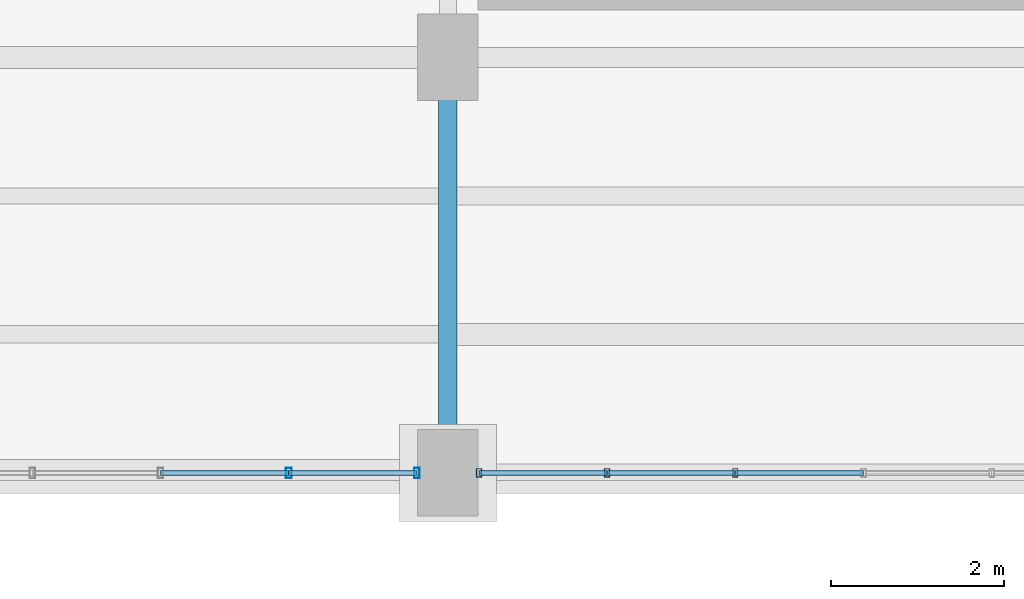
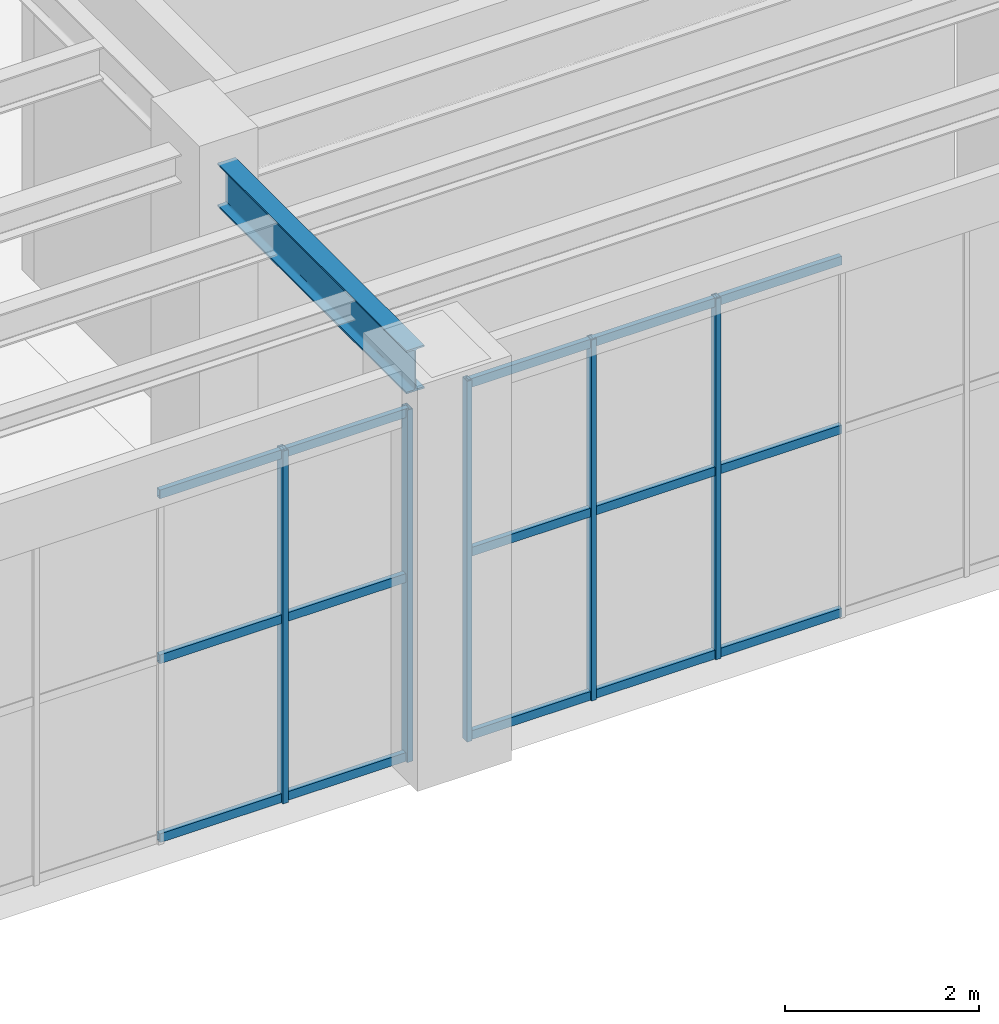
# One storey, part 98 of 174: 20 members, 1 beam, 2 elements without a shape of their own.
"""IFC4 building model written with IfcOpenShell, lengths in metres."""

from ifc_helpers import new_model, si_unit, direction, frame, origin, origin_2d, place, context, subcontext, project, spatial, hollow_rectangle, i_section, extrude, material, material_profile, profile_set, type_object, element, aggregate, save


model = new_model("IFC4")

# Units and contexts
model_context = context("Model", 3, precision=1e-05, world=origin(), true_north=direction((0.0, 1.0)))
body_context = subcontext(model_context, "Body", "Model", "MODEL_VIEW")
ifc_project = project(units=[si_unit("LENGTHUNIT", "METRE"), si_unit("AREAUNIT", "SQUARE_METRE"), si_unit("VOLUMEUNIT", "CUBIC_METRE"), si_unit("PLANEANGLEUNIT", "RADIAN"), si_unit("MASSUNIT", "GRAM", prefix="KILO")], contexts=[model_context])

# Site, building, storey
site_placement = place(None, origin())
site = spatial("IfcSite", under=ifc_project, at=site_placement, CompositionType="ELEMENT")
building_placement = place(site_placement, origin())
building = spatial("IfcBuilding", under=site, at=building_placement, Name="Mavantir Sound Aquarium", CompositionType="ELEMENT")
storey_placement = place(building_placement, frame((0.0, 0.0, 5.39990234375)))
storey = spatial("IfcBuildingStorey", under=building, at=storey_placement, Name="L01", CompositionType="ELEMENT", Elevation=5.39990234375)

# Beam
ifc_material_1 = material(Name="Structural Steel ASTM A992 Gr50", Category="steel")
ifc_material_profile_1 = material_profile(ifc_material_1, i_section(OverallWidth=0.2119140625, OverallDepth=0.5439453125, WebThickness=0.01318359375, FlangeThickness=0.021240234375, FilletRadius=0.01806640625, at=origin_2d()), Name="W530X123")
ifc_profile_set_1 = profile_set([ifc_material_profile_1], Name="Structural Steel ASTM A992 Gr50")
beam_type = type_object("IfcBeamType", Name="BM-W530X123-I", PredefinedType="BEAM", material=ifc_profile_set_1)
beam_placement = place(storey_placement, frame((146.39990234375, 36.449951171875, 4.504150390625), z_axis=(0.0, 1.0, 0.0), x_axis=(-1.0, 0.0, 0.0)))
element("IfcBeam", 1, at=beam_placement, inside=storey, type_object=beam_type, Name="L01 primary girder SB-53 1331", PredefinedType="BEAM", context=body_context, shape_type="SweptSolid", body=[
    extrude(i_section(OverallWidth=0.2119140625, OverallDepth=0.5439453125, WebThickness=0.01318359375, FlangeThickness=0.021240234375, FilletRadius=0.01806640625, at=origin_2d()), origin(), (0.0, 0.0, 1.0), 3.900146484375),
])

# Curtain wall, members
ifc_material_2 = material(Name="Anodised Marine Aluminium and Low-E Glass", Category="aluminium")
curtain_wall_type_1 = type_object("IfcCurtainWallType", Name="CW-T05", PredefinedType="USERDEFINED", material=ifc_material_2)
curtain_wall_1_placement = place(storey_placement, origin())
curtain_wall_1 = element("IfcCurtainWall", 2, at=curtain_wall_1_placement, inside=storey, type_object=curtain_wall_type_1, Name="L01 unitised curtain wall CW-05 101", ObjectType="UNITISED GLAZING", PredefinedType="USERDEFINED")
ifc_material_3 = material(Name="Anodised Marine Aluminium 6063-T6", Category="aluminium")
ifc_material_profile_2 = material_profile(ifc_material_3, hollow_rectangle(XDim=0.06005859375, YDim=0.10009765625, WallThickness=0.00390625, at=origin_2d()), Name="ALU-MULLION-100X60")
ifc_profile_set_2 = profile_set([ifc_material_profile_2], Name="Anodised Marine Aluminium 6063-T6")
member_type_1 = type_object("IfcMemberType", Name="CW-MUL-100", PredefinedType="MULLION", material=ifc_profile_set_2)
member_1_placement = place(storey_placement, frame((146.758056640625, 36.0, 0.0), z_axis=(0.0, 0.0, 1.0), x_axis=(1.0, 0.0, 0.0)))
member_1 = element("IfcMember", 3, at=member_1_placement, type_object=member_type_1, Name="CW-L01-101 vertical mullion 1", PredefinedType="MULLION", context=body_context, shape_type="SweptSolid", body=[
    extrude(hollow_rectangle(XDim=0.06005859375, YDim=0.10009765625, WallThickness=0.00390625, at=origin_2d()), origin(), (0.0, 0.0, 1.0), 4.543212890625),
])
member_2_placement = place(storey_placement, frame((148.23876953125, 36.0, 0.0), z_axis=(0.0, 0.0, 1.0), x_axis=(1.0, 0.0, 0.0)))
member_2 = element("IfcMember", 4, at=member_2_placement, type_object=member_type_1, Name="CW-L01-101 vertical mullion 2", PredefinedType="MULLION", context=body_context, shape_type="SweptSolid", body=[
    extrude(hollow_rectangle(XDim=0.06005859375, YDim=0.10009765625, WallThickness=0.00390625, at=origin_2d()), origin(), (0.0, 0.0, 1.0), 4.543212890625),
])
member_3_placement = place(storey_placement, frame((149.71923828125, 36.0, 0.0), z_axis=(0.0, 0.0, 1.0), x_axis=(1.0, 0.0, 0.0)))
member_3 = element("IfcMember", 5, at=member_3_placement, type_object=member_type_1, Name="CW-L01-101 vertical mullion 3", PredefinedType="MULLION", context=body_context, shape_type="SweptSolid", body=[
    extrude(hollow_rectangle(XDim=0.06005859375, YDim=0.10009765625, WallThickness=0.00390625, at=origin_2d()), origin(), (0.0, 0.0, 1.0), 4.543212890625),
])

curtain_wall_type_2 = type_object("IfcCurtainWallType", Name="CW-T04", PredefinedType="USERDEFINED", material=ifc_material_2)
curtain_wall_2_placement = place(storey_placement, origin())
curtain_wall_2 = element("IfcCurtainWall", 6, at=curtain_wall_2_placement, inside=storey, type_object=curtain_wall_type_2, Name="L01 unitised curtain wall CW-04 100", ObjectType="UNITISED GLAZING", PredefinedType="USERDEFINED")
ifc_material_profile_3 = material_profile(ifc_material_3, hollow_rectangle(XDim=0.06494140625, YDim=0.1201171875, WallThickness=0.00390625, at=origin_2d()), Name="ALU-MULLION-120X65")
ifc_profile_set_3 = profile_set([ifc_material_profile_3], Name="Anodised Marine Aluminium 6063-T6")
member_type_2 = type_object("IfcMemberType", Name="CW-MUL-120", PredefinedType="MULLION", material=ifc_profile_set_3)
member_4_placement = place(storey_placement, frame((144.561279296875, 36.0, 0.0), z_axis=(0.0, 0.0, 1.0), x_axis=(1.0, 0.0, 0.0)))
member_4 = element("IfcMember", 7, at=member_4_placement, type_object=member_type_2, Name="CW-L01-100 vertical mullion 6", PredefinedType="MULLION", context=body_context, shape_type="SweptSolid", body=[
    extrude(hollow_rectangle(XDim=0.06494140625, YDim=0.1201171875, WallThickness=0.00390625, at=origin_2d()), origin(), (0.0, 0.0, 1.0), 4.43798828125),
])
member_5_placement = place(storey_placement, frame((146.0419921875, 36.0, 0.0), z_axis=(0.0, 0.0, 1.0), x_axis=(1.0, 0.0, 0.0)))
member_5 = element("IfcMember", 8, at=member_5_placement, type_object=member_type_2, Name="CW-L01-100 vertical mullion 7", PredefinedType="MULLION", context=body_context, shape_type="SweptSolid", body=[
    extrude(hollow_rectangle(XDim=0.06494140625, YDim=0.1201171875, WallThickness=0.00390625, at=origin_2d()), origin(), (0.0, 0.0, 1.0), 4.43798828125),
])
ifc_material_profile_4 = material_profile(ifc_material_3, hollow_rectangle(XDim=0.06005859375, YDim=0.110107421875, WallThickness=0.00390625, at=origin_2d()), Name="ALU-TRANSOM-110X60")
ifc_profile_set_4 = profile_set([ifc_material_profile_4], Name="Anodised Marine Aluminium 6063-T6")
member_type_3 = type_object("IfcMemberType", Name="CW-TRN-110", PredefinedType="USERDEFINED", material=ifc_profile_set_4)
member_6_placement = place(storey_placement, frame((143.080810546875, 36.0, 0.05517578125), z_axis=(1.0, 0.0, 0.0), x_axis=(0.0, 1.0, 0.0)))
member_6 = element("IfcMember", 9, at=member_6_placement, type_object=member_type_3, Name="CW-L01-100 transom 5.1", ObjectType="TRANSOM", PredefinedType="USERDEFINED", context=body_context, shape_type="SweptSolid", body=[
    extrude(hollow_rectangle(XDim=0.06005859375, YDim=0.110107421875, WallThickness=0.00390625, at=origin_2d()), origin(), (0.0, 0.0, 1.0), 1.48046875),
])
member_7_placement = place(storey_placement, frame((143.080810546875, 36.0, 2.307861328125), z_axis=(1.0, 0.0, 0.0), x_axis=(0.0, 1.0, 0.0)))
member_7 = element("IfcMember", 10, at=member_7_placement, type_object=member_type_3, Name="CW-L01-100 transom 5.2", ObjectType="TRANSOM", PredefinedType="USERDEFINED", context=body_context, shape_type="SweptSolid", body=[
    extrude(hollow_rectangle(XDim=0.06005859375, YDim=0.110107421875, WallThickness=0.00390625, at=origin_2d()), origin(), (0.0, 0.0, 1.0), 1.48046875),
])
member_8_placement = place(storey_placement, frame((143.080810546875, 36.0, 4.383056640625), z_axis=(1.0, 0.0, 0.0), x_axis=(0.0, 1.0, 0.0)))
member_8 = element("IfcMember", 11, at=member_8_placement, type_object=member_type_3, Name="CW-L01-100 transom 5.3", ObjectType="TRANSOM", PredefinedType="USERDEFINED", context=body_context, shape_type="SweptSolid", body=[
    extrude(hollow_rectangle(XDim=0.06005859375, YDim=0.110107421875, WallThickness=0.00390625, at=origin_2d()), origin(), (0.0, 0.0, 1.0), 1.48046875),
])
member_9_placement = place(storey_placement, frame((144.561279296875, 36.0, 0.05517578125), z_axis=(1.0, 0.0, 0.0), x_axis=(0.0, 1.0, 0.0)))
member_9 = element("IfcMember", 12, at=member_9_placement, type_object=member_type_3, Name="CW-L01-100 transom 6.1", ObjectType="TRANSOM", PredefinedType="USERDEFINED", context=body_context, shape_type="SweptSolid", body=[
    extrude(hollow_rectangle(XDim=0.06005859375, YDim=0.110107421875, WallThickness=0.00390625, at=origin_2d()), origin(), (0.0, 0.0, 1.0), 1.480712890625),
])
member_10_placement = place(storey_placement, frame((144.561279296875, 36.0, 2.307861328125), z_axis=(1.0, 0.0, 0.0), x_axis=(0.0, 1.0, 0.0)))
member_10 = element("IfcMember", 13, at=member_10_placement, type_object=member_type_3, Name="CW-L01-100 transom 6.2", ObjectType="TRANSOM", PredefinedType="USERDEFINED", context=body_context, shape_type="SweptSolid", body=[
    extrude(hollow_rectangle(XDim=0.06005859375, YDim=0.110107421875, WallThickness=0.00390625, at=origin_2d()), origin(), (0.0, 0.0, 1.0), 1.480712890625),
])
member_11_placement = place(storey_placement, frame((144.561279296875, 36.0, 4.383056640625), z_axis=(1.0, 0.0, 0.0), x_axis=(0.0, 1.0, 0.0)))
member_11 = element("IfcMember", 14, at=member_11_placement, type_object=member_type_3, Name="CW-L01-100 transom 6.3", ObjectType="TRANSOM", PredefinedType="USERDEFINED", context=body_context, shape_type="SweptSolid", body=[
    extrude(hollow_rectangle(XDim=0.06005859375, YDim=0.110107421875, WallThickness=0.00390625, at=origin_2d()), origin(), (0.0, 0.0, 1.0), 1.480712890625),
])
aggregate(curtain_wall_2, [member_4, member_5, member_6, member_7, member_8, member_9, member_10, member_11])

# Member
member_12_placement = place(storey_placement, frame((146.758056640625, 36.0, 0.05517578125), z_axis=(1.0, 0.0, 0.0), x_axis=(0.0, 1.0, 0.0)))
member_12 = element("IfcMember", 15, at=member_12_placement, type_object=member_type_3, Name="CW-L01-101 transom 1.1", ObjectType="TRANSOM", PredefinedType="USERDEFINED", context=body_context, shape_type="SweptSolid", body=[
    extrude(hollow_rectangle(XDim=0.06005859375, YDim=0.110107421875, WallThickness=0.00390625, at=origin_2d()), origin(), (0.0, 0.0, 1.0), 1.480712890625),
])

member_13_placement = place(storey_placement, frame((146.758056640625, 36.0, 2.362548828125), z_axis=(1.0, 0.0, 0.0), x_axis=(0.0, 1.0, 0.0)))
member_13 = element("IfcMember", 16, at=member_13_placement, type_object=member_type_3, Name="CW-L01-101 transom 1.2", ObjectType="TRANSOM", PredefinedType="USERDEFINED", context=body_context, shape_type="SweptSolid", body=[
    extrude(hollow_rectangle(XDim=0.06005859375, YDim=0.110107421875, WallThickness=0.00390625, at=origin_2d()), origin(), (0.0, 0.0, 1.0), 1.480712890625),
])

member_14_placement = place(storey_placement, frame((146.758056640625, 36.0, 4.488037109375), z_axis=(1.0, 0.0, 0.0), x_axis=(0.0, 1.0, 0.0)))
member_14 = element("IfcMember", 17, at=member_14_placement, type_object=member_type_3, Name="CW-L01-101 transom 1.3", ObjectType="TRANSOM", PredefinedType="USERDEFINED", context=body_context, shape_type="SweptSolid", body=[
    extrude(hollow_rectangle(XDim=0.06005859375, YDim=0.110107421875, WallThickness=0.00390625, at=origin_2d()), origin(), (0.0, 0.0, 1.0), 1.480712890625),
])

member_15_placement = place(storey_placement, frame((148.23876953125, 36.0, 0.05517578125), z_axis=(1.0, 0.0, 0.0), x_axis=(0.0, 1.0, 0.0)))
member_15 = element("IfcMember", 18, at=member_15_placement, type_object=member_type_3, Name="CW-L01-101 transom 2.1", ObjectType="TRANSOM", PredefinedType="USERDEFINED", context=body_context, shape_type="SweptSolid", body=[
    extrude(hollow_rectangle(XDim=0.06005859375, YDim=0.110107421875, WallThickness=0.00390625, at=origin_2d()), origin(), (0.0, 0.0, 1.0), 1.48046875),
])

member_16_placement = place(storey_placement, frame((148.23876953125, 36.0, 2.362548828125), z_axis=(1.0, 0.0, 0.0), x_axis=(0.0, 1.0, 0.0)))
member_16 = element("IfcMember", 19, at=member_16_placement, type_object=member_type_3, Name="CW-L01-101 transom 2.2", ObjectType="TRANSOM", PredefinedType="USERDEFINED", context=body_context, shape_type="SweptSolid", body=[
    extrude(hollow_rectangle(XDim=0.06005859375, YDim=0.110107421875, WallThickness=0.00390625, at=origin_2d()), origin(), (0.0, 0.0, 1.0), 1.48046875),
])

member_17_placement = place(storey_placement, frame((148.23876953125, 36.0, 4.488037109375), z_axis=(1.0, 0.0, 0.0), x_axis=(0.0, 1.0, 0.0)))
member_17 = element("IfcMember", 20, at=member_17_placement, type_object=member_type_3, Name="CW-L01-101 transom 2.3", ObjectType="TRANSOM", PredefinedType="USERDEFINED", context=body_context, shape_type="SweptSolid", body=[
    extrude(hollow_rectangle(XDim=0.06005859375, YDim=0.110107421875, WallThickness=0.00390625, at=origin_2d()), origin(), (0.0, 0.0, 1.0), 1.48046875),
])

member_18_placement = place(storey_placement, frame((149.71923828125, 36.0, 0.05517578125), z_axis=(1.0, 0.0, 0.0), x_axis=(0.0, 1.0, 0.0)))
member_18 = element("IfcMember", 21, at=member_18_placement, type_object=member_type_3, Name="CW-L01-101 transom 3.1", ObjectType="TRANSOM", PredefinedType="USERDEFINED", context=body_context, shape_type="SweptSolid", body=[
    extrude(hollow_rectangle(XDim=0.06005859375, YDim=0.110107421875, WallThickness=0.00390625, at=origin_2d()), origin(), (0.0, 0.0, 1.0), 1.480712890625),
])

member_19_placement = place(storey_placement, frame((149.71923828125, 36.0, 2.362548828125), z_axis=(1.0, 0.0, 0.0), x_axis=(0.0, 1.0, 0.0)))
member_19 = element("IfcMember", 22, at=member_19_placement, type_object=member_type_3, Name="CW-L01-101 transom 3.2", ObjectType="TRANSOM", PredefinedType="USERDEFINED", context=body_context, shape_type="SweptSolid", body=[
    extrude(hollow_rectangle(XDim=0.06005859375, YDim=0.110107421875, WallThickness=0.00390625, at=origin_2d()), origin(), (0.0, 0.0, 1.0), 1.480712890625),
])

member_20_placement = place(storey_placement, frame((149.71923828125, 36.0, 4.488037109375), z_axis=(1.0, 0.0, 0.0), x_axis=(0.0, 1.0, 0.0)))
member_20 = element("IfcMember", 23, at=member_20_placement, type_object=member_type_3, Name="CW-L01-101 transom 3.3", ObjectType="TRANSOM", PredefinedType="USERDEFINED", context=body_context, shape_type="SweptSolid", body=[
    extrude(hollow_rectangle(XDim=0.06005859375, YDim=0.110107421875, WallThickness=0.00390625, at=origin_2d()), origin(), (0.0, 0.0, 1.0), 1.480712890625),
])

aggregate(curtain_wall_1, [member_1, member_2, member_3, member_12, member_13, member_14, member_15, member_16, member_17, member_18, member_19, member_20])

save(model, "model.ifc")
